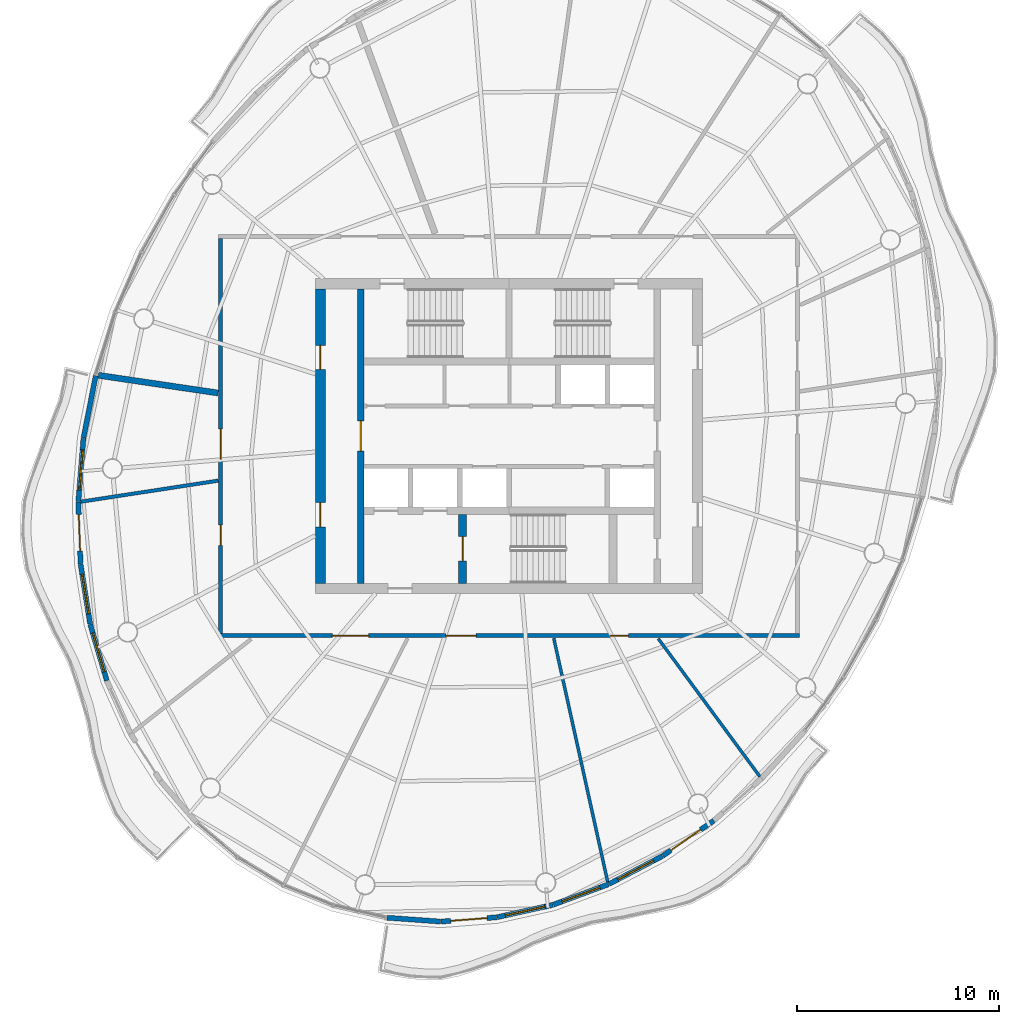
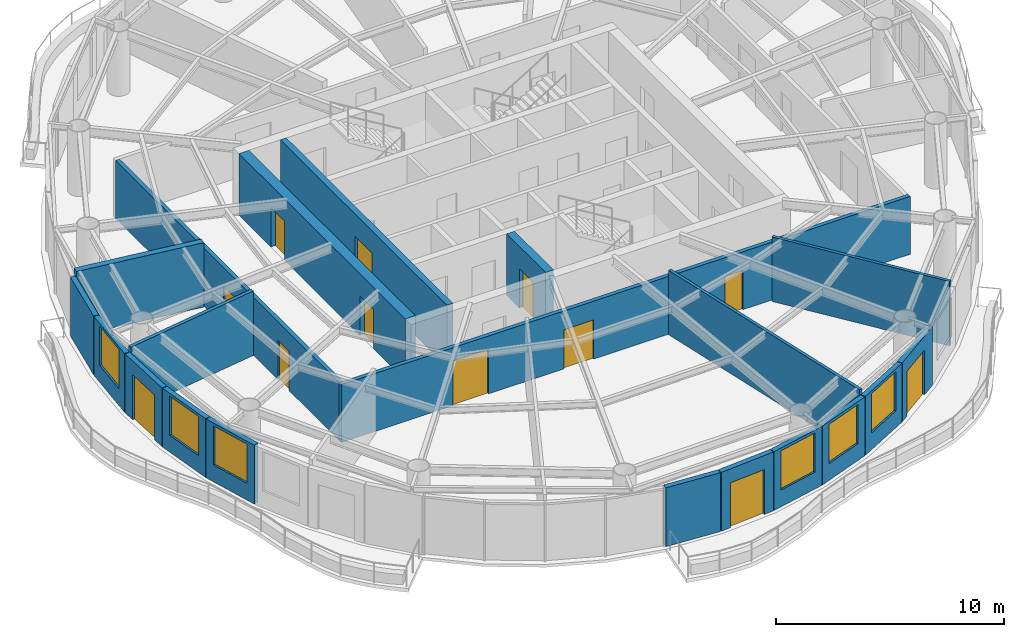
# One storey, part 7 of 13: 20 walls, 12 doors, 6 windows, 18 openings.
"""IFC4 building model written with IfcOpenShell, lengths in metres."""

from ifc_helpers import new_model, si_unit, direction, frame, frame_2d, origin, place, context, subcontext, project, spatial, rectangle, extrude, material, layer, layer_set, type_object, element, fill, save


model = new_model("IFC4")

# Units and contexts
model_context = context("Model", 3, precision=1e-05, world=origin(), true_north=direction((0.0, 1.0)))
body_context = subcontext(model_context, "Body", "Model", "MODEL_VIEW")
ifc_project = project(units=[si_unit("LENGTHUNIT", "METRE"), si_unit("AREAUNIT", "SQUARE_METRE"), si_unit("VOLUMEUNIT", "CUBIC_METRE"), si_unit("PLANEANGLEUNIT", "RADIAN"), si_unit("MASSUNIT", "GRAM", prefix="KILO")], contexts=[model_context])

# Site, building, storey
site_placement = place(None, origin())
site = spatial("IfcSite", under=ifc_project, at=site_placement, CompositionType="ELEMENT")
building_placement = place(site_placement, origin())
building = spatial("IfcBuilding", under=site, at=building_placement, Name="Vermilion Reach Broadcast Tower", CompositionType="ELEMENT")
storey_placement = place(building_placement, frame((0.0, 0.0, 286.5)))
storey = spatial("IfcBuildingStorey", under=building, at=storey_placement, Name="L71", CompositionType="ELEMENT", Elevation=286.5)

# Wall, opening, door
ifc_material_1 = material(Name="Concrete C50", Category="concrete")
ifc_layer_1 = layer(ifc_material_1, 0.300048828125)
ifc_layer_set_1 = layer_set([ifc_layer_1], Name="Core inner wall 300 mm Concrete C50")
wall_type_1 = type_object("IfcWallType", Name="Core inner wall 300 mm Concrete C50", PredefinedType="SHEAR", material=ifc_layer_set_1)
wall_1_placement = place(storey_placement, frame((-13.35009765625, 7.300048828125, 0.0), z_axis=(0.0, 0.0, 1.0), x_axis=(0.0, -1.0, 0.0)))
wall_1 = element("IfcWall", 1, at=wall_1_placement, inside=storey, type_object=wall_type_1, Name="L71 core wall ewW", PredefinedType="SHEAR", context=body_context, shape_type="SweptSolid", body=[
    extrude(rectangle(XDim=14.60009765625, YDim=0.300048828125, at=frame_2d((7.300048828125, 0.0))), origin(), (0.0, 0.0, 1.0), 3.300048828125),
])
opening_1_placement = place(wall_1_placement, frame((6.550048828125, 0.0, 0.0)))
opening_1 = element("IfcOpeningElement", 2, at=opening_1_placement, cuts=wall_1, Name="Opening D04", PredefinedType="OPENING", context=body_context, shape_type="SweptSolid", body=[
    extrude(rectangle(XDim=1.5, YDim=2.10009765625, at=frame_2d((0.75, 1.050048828125))), frame((0.0, 0.159912109375, 0.0), z_axis=(0.0, -1.0, 0.0), x_axis=(1.0, 0.0, 0.0)), (0.0, 0.0, 1.0), 0.320068359375),
])
ifc_material_2 = material(Name="Painted steel fire door", Category="steel")
door_type_1 = type_object("IfcDoorType", Name="Lift lobby door 1500 x 2100", OperationType="DOUBLE_DOOR_SINGLE_SWING", PredefinedType="NOTDEFINED", material=ifc_material_2)
door_1_placement = place(opening_1_placement, origin())
door_1 = element("IfcDoor", 3, at=door_1_placement, inside=storey, type_object=door_type_1, Name="L71 band door BW", OperationType="DOUBLE_DOOR_SINGLE_SWING", OverallHeight=2.10009765625, OverallWidth=1.5, PredefinedType="NOTDEFINED", context=body_context, shape_type="SweptSolid", body=[
    extrude(rectangle(XDim=1.5, YDim=2.10009765625, at=frame_2d((0.75, 1.050048828125))), frame((0.0, 0.02490234375, 0.0), z_axis=(0.0, -1.0, 0.0), x_axis=(1.0, 0.0, 0.0)), (0.0, 0.0, 1.0), 0.050048828125),
])
fill(opening_1, door_1)

ifc_material_3 = material(Name="Concrete C50", Category="concrete")
ifc_layer_2 = layer(ifc_material_3, 0.39990234375)
ifc_layer_set_2 = layer_set([ifc_layer_2], Name="Core inner wall 400 mm Concrete C50")
wall_type_2 = type_object("IfcWallType", Name="Core inner wall 400 mm Concrete C50", PredefinedType="SHEAR", material=ifc_layer_set_2)
wall_2_placement = place(storey_placement, frame((-8.300048828125, -3.8798828125, 0.0), z_axis=(0.0, 0.0, 1.0), x_axis=(0.0, -1.0, 0.0)))
wall_2 = element("IfcWall", 4, at=wall_2_placement, inside=storey, type_object=wall_type_2, Name="L71 core wall wa", PredefinedType="SHEAR", context=body_context, shape_type="SweptSolid", body=[
    extrude(rectangle(XDim=3.420166015625, YDim=0.39990234375, at=frame_2d((1.7099609375, 0.0))), origin(), (0.0, 0.0, 1.0), 3.300048828125),
])
opening_2_placement = place(wall_2_placement, frame((1.110107421875, 0.0, 0.0)))
opening_2 = element("IfcOpeningElement", 5, at=opening_2_placement, cuts=wall_2, Name="Opening D01", PredefinedType="OPENING", context=body_context, shape_type="SweptSolid", body=[
    extrude(rectangle(XDim=1.199951171875, YDim=2.10009765625, at=frame_2d((0.60009765625, 1.050048828125))), frame((0.0, 0.2099609375, 0.0), z_axis=(0.0, -1.0, 0.0), x_axis=(1.0, 0.0, 0.0)), (0.0, 0.0, 1.0), 0.419921875),
])
ifc_material_4 = material(Name="Painted steel fire door", Category="steel")
door_type_2 = type_object("IfcDoorType", Name="Stair door 1200 x 2100", OperationType="DOUBLE_DOOR_SINGLE_SWING", PredefinedType="NOTDEFINED", material=ifc_material_4)
door_2_placement = place(opening_2_placement, origin())
door_2 = element("IfcDoor", 6, at=door_2_placement, inside=storey, type_object=door_type_2, Name="L71 stair door ST3", OperationType="DOUBLE_DOOR_SINGLE_SWING", OverallHeight=2.10009765625, OverallWidth=1.199951171875, PredefinedType="NOTDEFINED", context=body_context, shape_type="SweptSolid", body=[
    extrude(rectangle(XDim=1.199951171875, YDim=2.10009765625, at=frame_2d((0.60009765625, 1.050048828125))), frame((0.0, 0.02490234375, 0.0), z_axis=(0.0, -1.0, 0.0), x_axis=(1.0, 0.0, 0.0)), (0.0, 0.0, 1.0), 0.050048828125),
])
fill(opening_2, door_2)

# Wall, openings, doors
ifc_material_5 = material(Name="Concrete C50", Category="concrete")
ifc_layer_3 = layer(ifc_material_5, 0.5)
ifc_layer_set_3 = layer_set([ifc_layer_3], Name="Core outer wall 500 mm Concrete C50")
wall_type_3 = type_object("IfcWallType", Name="Core outer wall 500 mm Concrete C50", PredefinedType="SHEAR", material=ifc_layer_set_3)
wall_3_placement = place(storey_placement, frame((-15.35009765625, 7.300048828125, 0.0), z_axis=(0.0, 0.0, 1.0), x_axis=(0.0, -1.0, 0.0)))
wall_3 = element("IfcWall", 7, at=wall_3_placement, inside=storey, type_object=wall_type_3, Name="L71 core wall ow", PredefinedType="SHEAR", context=body_context, shape_type="SweptSolid", body=[
    extrude(rectangle(XDim=14.60009765625, YDim=0.5, at=frame_2d((7.300048828125, 0.0))), origin(), (0.0, 0.0, 1.0), 3.300048828125),
])
opening_3_placement = place(wall_3_placement, frame((10.60009765625, 0.0, 0.0)))
opening_3 = element("IfcOpeningElement", 8, at=opening_3_placement, cuts=wall_3, Name="Opening D03", PredefinedType="OPENING", context=body_context, shape_type="SweptSolid", body=[
    extrude(rectangle(XDim=1.199951171875, YDim=2.10009765625, at=frame_2d((0.60009765625, 1.050048828125))), frame((0.0, 0.260009765625, 0.0), z_axis=(0.0, -1.0, 0.0), x_axis=(1.0, 0.0, 0.0)), (0.0, 0.0, 1.0), 0.52001953125),
])
opening_4_placement = place(wall_3_placement, frame((2.800048828125, 0.0, 0.0)))
opening_4 = element("IfcOpeningElement", 9, at=opening_4_placement, cuts=wall_3, Name="Opening D03", PredefinedType="OPENING", context=body_context, shape_type="SweptSolid", body=[
    extrude(rectangle(XDim=1.199951171875, YDim=2.10009765625, at=frame_2d((0.60009765625, 1.050048828125))), frame((0.0, 0.260009765625, 0.0), z_axis=(0.0, -1.0, 0.0), x_axis=(1.0, 0.0, 0.0)), (0.0, 0.0, 1.0), 0.52001953125),
])
ifc_material_6 = material(Name="Painted steel fire door", Category="steel")
door_type_3 = type_object("IfcDoorType", Name="Core lobby door 1200 x 2100", OperationType="DOUBLE_DOOR_SINGLE_SWING", PredefinedType="NOTDEFINED", material=ifc_material_6)
door_3_placement = place(opening_3_placement, origin())
door_3 = element("IfcDoor", 10, at=door_3_placement, inside=storey, type_object=door_type_3, Name="L71 slot door W0", OperationType="DOUBLE_DOOR_SINGLE_SWING", OverallHeight=2.10009765625, OverallWidth=1.199951171875, PredefinedType="NOTDEFINED", context=body_context, shape_type="SweptSolid", body=[
    extrude(rectangle(XDim=1.199951171875, YDim=2.10009765625, at=frame_2d((0.60009765625, 1.050048828125))), frame((0.0, 0.02490234375, 0.0), z_axis=(0.0, -1.0, 0.0), x_axis=(1.0, 0.0, 0.0)), (0.0, 0.0, 1.0), 0.050048828125),
])
fill(opening_3, door_3)
door_4_placement = place(opening_4_placement, origin())
door_4 = element("IfcDoor", 11, at=door_4_placement, inside=storey, type_object=door_type_3, Name="L71 slot door W1", OperationType="DOUBLE_DOOR_SINGLE_SWING", OverallHeight=2.10009765625, OverallWidth=1.199951171875, PredefinedType="NOTDEFINED", context=body_context, shape_type="SweptSolid", body=[
    extrude(rectangle(XDim=1.199951171875, YDim=2.10009765625, at=frame_2d((0.60009765625, 1.050048828125))), frame((0.0, 0.02490234375, 0.0), z_axis=(0.0, -1.0, 0.0), x_axis=(1.0, 0.0, 0.0)), (0.0, 0.0, 1.0), 0.050048828125),
])
fill(opening_4, door_4)

# Walls
ifc_material_7 = material(Name="Lightweight concrete block, plastered", Category="concrete")
ifc_layer_4 = layer(ifc_material_7, 0.14990234375)
ifc_layer_set_4 = layer_set([ifc_layer_4], Name="Partition 150 lightweight block")
wall_type_4 = type_object("IfcWallType", Name="Partition 150 lightweight block", PredefinedType="PARTITIONING", material=ifc_layer_set_4)
wall_4_placement = place(storey_placement, frame((-1.10693359375, -22.10498046875, 0.0), z_axis=(0.0, 0.0, 1.0), x_axis=(-0.216130755643, 0.976364428103, 0.0)))
element("IfcWall", 12, at=wall_4_placement, inside=storey, type_object=wall_type_4, Name="Partition 71.07", PredefinedType="PARTITIONING", context=body_context, shape_type="SweptSolid", body=[
    extrude(rectangle(XDim=12.381591796875, YDim=0.14990234375, at=frame_2d((6.19091796875, 0.0))), origin(), (0.0, 0.0, 1.0), 3.449951171875),
])
wall_5_placement = place(storey_placement, frame((6.440673828125, -16.8857421875, 0.0), z_axis=(0.0, 0.0, 1.0), x_axis=(-0.593147094441, 0.805094109006, 0.0)))
element("IfcWall", 13, at=wall_5_placement, inside=storey, type_object=wall_type_4, Name="Partition 71.08", PredefinedType="PARTITIONING", context=body_context, shape_type="SweptSolid", body=[
    extrude(rectangle(XDim=8.49755859375, YDim=0.14990234375, at=frame_2d((4.248779296875, 0.0))), origin(), (0.0, 0.0, 1.0), 3.449951171875),
])
ifc_material_8 = material(Name="Fire-rated block, plastered")
ifc_layer_5 = layer(ifc_material_8, 0.175048828125)
ifc_layer_set_5 = layer_set([ifc_layer_5], Name="Partition 175 fire-rated block")
wall_type_5 = type_object("IfcWallType", Name="Partition 175 fire-rated block", PredefinedType="PARTITIONING", material=ifc_layer_set_5)
wall_6_placement = place(storey_placement, frame((-27.2275390625, -3.25634765625, 0.0), z_axis=(0.0, 0.0, 1.0), x_axis=(0.988435478187, 0.151642030654, 0.0)))
element("IfcWall", 14, at=wall_6_placement, inside=storey, type_object=wall_type_5, Name="Partition 71.04", PredefinedType="PARTITIONING", context=body_context, shape_type="SweptSolid", body=[
    extrude(rectangle(XDim=6.89404296875, YDim=0.175048828125, at=frame_2d((3.447021484375, 0.0))), origin(), (0.0, 0.0, 1.0), 3.449951171875),
])
ifc_material_9 = material(Name="Double-leaf plasterboard on isolated steel stud", Category="steel")
ifc_layer_6 = layer(ifc_material_9, 0.300048828125)
ifc_layer_set_6 = layer_set([ifc_layer_6], Name="Partition 300 acoustic double leaf")
wall_type_6 = type_object("IfcWallType", Name="Partition 300 acoustic double leaf", PredefinedType="PARTITIONING", material=ifc_layer_set_6)
wall_7_placement = place(storey_placement, frame((-26.3583984375, 3.01171875, 0.0), z_axis=(0.0, 0.0, 1.0), x_axis=(0.989235111516, -0.146334869885, 0.0)))
element("IfcWall", 15, at=wall_7_placement, inside=storey, type_object=wall_type_6, Name="Partition 71.03", PredefinedType="PARTITIONING", context=body_context, shape_type="SweptSolid", body=[
    extrude(rectangle(XDim=6.001220703125, YDim=0.300048828125, at=frame_2d((3.00048828125, 0.0))), origin(), (0.0, 0.0, 1.0), 3.449951171875),
])
ifc_material_10 = material(Name="Terracotta rainscreen cladding", Category="masonry")
ifc_layer_7 = layer(ifc_material_10, 0.25)
ifc_layer_set_7 = layer_set([ifc_layer_7], Name="Terracotta rainscreen wall 250")
wall_type_7 = type_object("IfcWallType", Name="Terracotta rainscreen wall 250", PredefinedType="SOLIDWALL", material=ifc_layer_set_7)
wall_8_placement = place(storey_placement, frame((-26.490234375, 2.988525390625, 0.0), z_axis=(0.0, 0.0, 1.0), x_axis=(-0.192470190708, -0.981302820585, 0.0)))
element("IfcWall", 16, at=wall_8_placement, inside=storey, type_object=wall_type_7, Name="External wall L71 14", PredefinedType="SOLIDWALL", context=body_context, shape_type="SweptSolid", body=[
    extrude(rectangle(XDim=3.143310546875, YDim=0.25, at=frame_2d((1.57177734375, 0.0))), origin(), (0.0, 0.0, 1.0), 3.14990234375),
])

# Wall, opening, window
wall_9_placement = place(storey_placement, frame((-27.09814453125, -0.117919921875, 0.0), z_axis=(0.0, 0.0, 1.0), x_axis=(-0.080847238515, -0.996726504125, 0.0)))
wall_9 = element("IfcWall", 17, at=wall_9_placement, inside=storey, type_object=wall_type_7, Name="External wall L71 15", PredefinedType="SOLIDWALL", context=body_context, shape_type="SweptSolid", body=[
    extrude(rectangle(XDim=3.134521484375, YDim=0.25, at=frame_2d((1.5673828125, 0.0))), origin(), (0.0, 0.0, 1.0), 3.14990234375),
])
opening_5_placement = place(wall_9_placement, frame((0.567138671875, 0.0, 0.89990234375)))
opening_5 = element("IfcOpeningElement", 18, at=opening_5_placement, cuts=wall_9, Name="Opening W03", PredefinedType="OPENING", context=body_context, shape_type="SweptSolid", body=[
    extrude(rectangle(XDim=2.0, YDim=2.10009765625, at=frame_2d((1.0, 1.050048828125))), frame((0.0, 0.135009765625, 0.0), z_axis=(0.0, -1.0, 0.0), x_axis=(1.0, 0.0, 0.0)), (0.0, 0.0, 1.0), 0.27001953125),
])
ifc_material_11 = material(Name="Low-e laminated clear glass in aluminium frame", Category="aluminium")
window_type = type_object("IfcWindowType", Name="Punched window 2000 x 2100 sill 900", PartitioningType="SINGLE_PANEL", PredefinedType="WINDOW", material=ifc_material_11)
window_1_placement = place(opening_5_placement, origin())
window_1 = element("IfcWindow", 19, at=window_1_placement, inside=storey, type_object=window_type, Name="Window L71 15", OverallHeight=2.10009765625, OverallWidth=2.0, PartitioningType="SINGLE_PANEL", PredefinedType="WINDOW", context=body_context, shape_type="SweptSolid", body=[
    extrude(rectangle(XDim=2.0, YDim=2.10009765625, at=frame_2d((1.0, 1.050048828125))), frame((0.0, 0.030029296875, 0.0), z_axis=(0.0, -1.0, 0.0), x_axis=(1.0, 0.0, 0.0)), (0.0, 0.0, 1.0), 0.06005859375),
])
fill(opening_5, window_1)

# Wall, opening, door
wall_10_placement = place(storey_placement, frame((-27.35205078125, -3.2646484375, 0.0), z_axis=(0.0, 0.0, 1.0), x_axis=(0.035961121069, -0.999353189704, 0.0)))
wall_10 = element("IfcWall", 20, at=wall_10_placement, inside=storey, type_object=wall_type_7, Name="External wall L71 16", PredefinedType="SOLIDWALL", context=body_context, shape_type="SweptSolid", body=[
    extrude(rectangle(XDim=3.068603515625, YDim=0.25, at=frame_2d((1.5341796875, 0.0))), origin(), (0.0, 0.0, 1.0), 3.14990234375),
])
opening_6_placement = place(wall_10_placement, frame((0.634033203125, 0.0, 0.0)))
opening_6 = element("IfcOpeningElement", 21, at=opening_6_placement, cuts=wall_10, Name="Opening D70", PredefinedType="OPENING", context=body_context, shape_type="SweptSolid", body=[
    extrude(rectangle(XDim=1.800048828125, YDim=2.39990234375, at=frame_2d((0.89990234375, 1.199951171875))), frame((0.0, 0.135009765625, 0.0), z_axis=(0.0, -1.0, 0.0), x_axis=(1.0, 0.0, 0.0)), (0.0, 0.0, 1.0), 0.27001953125),
])
ifc_material_12 = material(Name="Low-e laminated clear glass in aluminium frame", Category="aluminium")
door_type_4 = type_object("IfcDoorType", Name="Balcony sliding door 1800 x 2400", OperationType="DOUBLE_DOOR_SLIDING", PredefinedType="DOOR", material=ifc_material_12)
door_5_placement = place(opening_6_placement, origin())
door_5 = element("IfcDoor", 22, at=door_5_placement, inside=storey, type_object=door_type_4, Name="Balcony door L71 run 04", OperationType="DOUBLE_DOOR_SLIDING", OverallHeight=2.39990234375, OverallWidth=1.800048828125, PredefinedType="DOOR", context=body_context, shape_type="SweptSolid", body=[
    extrude(rectangle(XDim=1.800048828125, YDim=2.39990234375, at=frame_2d((0.89990234375, 1.199951171875))), frame((0.0, 0.02490234375, 0.0), z_axis=(0.0, -1.0, 0.0), x_axis=(1.0, 0.0, 0.0)), (0.0, 0.0, 1.0), 0.050048828125),
])
fill(opening_6, door_5)

# Wall, opening, window
wall_11_placement = place(storey_placement, frame((-27.239501953125, -6.354248046875, 0.0), z_axis=(0.0, 0.0, 1.0), x_axis=(0.157503758702, -0.987518387674, 0.0)))
wall_11 = element("IfcWall", 23, at=wall_11_placement, inside=storey, type_object=wall_type_7, Name="External wall L71 17", PredefinedType="SOLIDWALL", context=body_context, shape_type="SweptSolid", body=[
    extrude(rectangle(XDim=2.9931640625, YDim=0.25, at=frame_2d((1.49658203125, 0.0))), origin(), (0.0, 0.0, 1.0), 3.14990234375),
])
opening_7_placement = place(wall_11_placement, frame((0.49658203125, 0.0, 0.89990234375)))
opening_7 = element("IfcOpeningElement", 24, at=opening_7_placement, cuts=wall_11, Name="Opening W03", PredefinedType="OPENING", context=body_context, shape_type="SweptSolid", body=[
    extrude(rectangle(XDim=2.0, YDim=2.10009765625, at=frame_2d((1.0, 1.050048828125))), frame((0.0, 0.135009765625, 0.0), z_axis=(0.0, -1.0, 0.0), x_axis=(1.0, 0.0, 0.0)), (0.0, 0.0, 1.0), 0.27001953125),
])
window_2_placement = place(opening_7_placement, origin())
window_2 = element("IfcWindow", 25, at=window_2_placement, inside=storey, type_object=window_type, Name="Window L71 17", OverallHeight=2.10009765625, OverallWidth=2.0, PartitioningType="SINGLE_PANEL", PredefinedType="WINDOW", context=body_context, shape_type="SweptSolid", body=[
    extrude(rectangle(XDim=2.0, YDim=2.10009765625, at=frame_2d((1.0, 1.050048828125))), frame((0.0, 0.030029296875, 0.0), z_axis=(0.0, -1.0, 0.0), x_axis=(1.0, 0.0, 0.0)), (0.0, 0.0, 1.0), 0.06005859375),
])
fill(opening_7, window_2)

wall_12_placement = place(storey_placement, frame((-26.7626953125, -9.33349609375, 0.0), z_axis=(0.0, 0.0, 1.0), x_axis=(0.282592797693, -0.959239965124, 0.0)))
wall_12 = element("IfcWall", 26, at=wall_12_placement, inside=storey, type_object=wall_type_7, Name="External wall L71 18", PredefinedType="SOLIDWALL", context=body_context, shape_type="SweptSolid", body=[
    extrude(rectangle(XDim=2.9130859375, YDim=0.25, at=frame_2d((1.45654296875, 0.0))), origin(), (0.0, 0.0, 1.0), 3.14990234375),
])
opening_8_placement = place(wall_12_placement, frame((0.45654296875, 0.0, 0.89990234375)))
opening_8 = element("IfcOpeningElement", 27, at=opening_8_placement, cuts=wall_12, Name="Opening W03", PredefinedType="OPENING", context=body_context, shape_type="SweptSolid", body=[
    extrude(rectangle(XDim=2.0, YDim=2.10009765625, at=frame_2d((1.0, 1.050048828125))), frame((0.0, 0.135009765625, 0.0), z_axis=(0.0, -1.0, 0.0), x_axis=(1.0, 0.0, 0.0)), (0.0, 0.0, 1.0), 0.27001953125),
])
window_3_placement = place(opening_8_placement, origin())
window_3 = element("IfcWindow", 28, at=window_3_placement, inside=storey, type_object=window_type, Name="Window L71 18", OverallHeight=2.10009765625, OverallWidth=2.0, PartitioningType="SINGLE_PANEL", PredefinedType="WINDOW", context=body_context, shape_type="SweptSolid", body=[
    extrude(rectangle(XDim=2.0, YDim=2.10009765625, at=frame_2d((1.0, 1.050048828125))), frame((0.0, 0.030029296875, 0.0), z_axis=(0.0, -1.0, 0.0), x_axis=(1.0, 0.0, 0.0)), (0.0, 0.0, 1.0), 0.06005859375),
])
fill(opening_8, window_3)

# Wall
wall_13_placement = place(storey_placement, frame((-12.042724609375, -23.880859375, 0.0), z_axis=(0.0, 0.0, 1.0), x_axis=(0.997395344453, -0.072128544025, 0.0)))
element("IfcWall", 29, at=wall_13_placement, inside=storey, type_object=wall_type_7, Name="External wall L71 26", PredefinedType="SOLIDWALL", context=body_context, shape_type="SweptSolid", body=[
    extrude(rectangle(XDim=2.656982421875, YDim=0.25, at=frame_2d((1.32861328125, 0.0))), origin(), (0.0, 0.0, 1.0), 3.14990234375),
])

# Wall, opening, door
wall_14_placement = place(storey_placement, frame((-9.365966796875, -24.072509765625, 0.0), z_axis=(0.0, 0.0, 1.0), x_axis=(0.997054485502, 0.076696498885, 0.0)))
wall_14 = element("IfcWall", 30, at=wall_14_placement, inside=storey, type_object=wall_type_7, Name="External wall L71 27", PredefinedType="SOLIDWALL", context=body_context, shape_type="SweptSolid", body=[
    extrude(rectangle(XDim=2.759765625, YDim=0.25, at=frame_2d((1.3798828125, 0.0))), origin(), (0.0, 0.0, 1.0), 3.14990234375),
])
opening_9_placement = place(wall_14_placement, frame((0.47998046875, 0.0, 0.0)))
opening_9 = element("IfcOpeningElement", 31, at=opening_9_placement, cuts=wall_14, Name="Opening D70", PredefinedType="OPENING", context=body_context, shape_type="SweptSolid", body=[
    extrude(rectangle(XDim=1.800048828125, YDim=2.39990234375, at=frame_2d((0.89990234375, 1.199951171875))), frame((0.0, 0.135009765625, 0.0), z_axis=(0.0, -1.0, 0.0), x_axis=(1.0, 0.0, 0.0)), (0.0, 0.0, 1.0), 0.27001953125),
])
door_6_placement = place(opening_9_placement, origin())
door_6 = element("IfcDoor", 32, at=door_6_placement, inside=storey, type_object=door_type_4, Name="Balcony door L71 run 07", OperationType="DOUBLE_DOOR_SLIDING", OverallHeight=2.39990234375, OverallWidth=1.800048828125, PredefinedType="DOOR", context=body_context, shape_type="SweptSolid", body=[
    extrude(rectangle(XDim=1.800048828125, YDim=2.39990234375, at=frame_2d((0.89990234375, 1.199951171875))), frame((0.0, 0.02490234375, 0.0), z_axis=(0.0, -1.0, 0.0), x_axis=(1.0, 0.0, 0.0)), (0.0, 0.0, 1.0), 0.050048828125),
])
fill(opening_9, door_6)

# Wall, opening, window
wall_15_placement = place(storey_placement, frame((-6.5888671875, -23.85693359375, 0.0), z_axis=(0.0, 0.0, 1.0), x_axis=(0.976083550613, 0.217395727242, 0.0)))
wall_15 = element("IfcWall", 33, at=wall_15_placement, inside=storey, type_object=wall_type_7, Name="External wall L71 28", PredefinedType="SOLIDWALL", context=body_context, shape_type="SweptSolid", body=[
    extrude(rectangle(XDim=2.83349609375, YDim=0.25, at=frame_2d((1.416748046875, 0.0))), origin(), (0.0, 0.0, 1.0), 3.14990234375),
])
opening_10_placement = place(wall_15_placement, frame((0.416748046875, 0.0, 0.89990234375)))
opening_10 = element("IfcOpeningElement", 34, at=opening_10_placement, cuts=wall_15, Name="Opening W03", PredefinedType="OPENING", context=body_context, shape_type="SweptSolid", body=[
    extrude(rectangle(XDim=2.0, YDim=2.10009765625, at=frame_2d((1.0, 1.050048828125))), frame((0.0, 0.135009765625, 0.0), z_axis=(0.0, -1.0, 0.0), x_axis=(1.0, 0.0, 0.0)), (0.0, 0.0, 1.0), 0.27001953125),
])
window_4_placement = place(opening_10_placement, origin())
window_4 = element("IfcWindow", 35, at=window_4_placement, inside=storey, type_object=window_type, Name="Window L71 28", OverallHeight=2.10009765625, OverallWidth=2.0, PartitioningType="SINGLE_PANEL", PredefinedType="WINDOW", context=body_context, shape_type="SweptSolid", body=[
    extrude(rectangle(XDim=2.0, YDim=2.10009765625, at=frame_2d((1.0, 1.050048828125))), frame((0.0, 0.030029296875, 0.0), z_axis=(0.0, -1.0, 0.0), x_axis=(1.0, 0.0, 0.0)), (0.0, 0.0, 1.0), 0.06005859375),
])
fill(opening_10, window_4)

wall_16_placement = place(storey_placement, frame((-3.79931640625, -23.234130859375, 0.0), z_axis=(0.0, 0.0, 1.0), x_axis=(0.937870025434, 0.346986765442, 0.0)))
wall_16 = element("IfcWall", 36, at=wall_16_placement, inside=storey, type_object=wall_type_7, Name="External wall L71 29", PredefinedType="SOLIDWALL", context=body_context, shape_type="SweptSolid", body=[
    extrude(rectangle(XDim=2.912841796875, YDim=0.25, at=frame_2d((1.45654296875, 0.0))), origin(), (0.0, 0.0, 1.0), 3.14990234375),
])
opening_11_placement = place(wall_16_placement, frame((0.45654296875, 0.0, 0.89990234375)))
opening_11 = element("IfcOpeningElement", 37, at=opening_11_placement, cuts=wall_16, Name="Opening W03", PredefinedType="OPENING", context=body_context, shape_type="SweptSolid", body=[
    extrude(rectangle(XDim=2.0, YDim=2.10009765625, at=frame_2d((1.0, 1.050048828125))), frame((0.0, 0.135009765625, 0.0), z_axis=(0.0, -1.0, 0.0), x_axis=(1.0, 0.0, 0.0)), (0.0, 0.0, 1.0), 0.27001953125),
])
window_5_placement = place(opening_11_placement, origin())
window_5 = element("IfcWindow", 38, at=window_5_placement, inside=storey, type_object=window_type, Name="Window L71 29", OverallHeight=2.10009765625, OverallWidth=2.0, PartitioningType="SINGLE_PANEL", PredefinedType="WINDOW", context=body_context, shape_type="SweptSolid", body=[
    extrude(rectangle(XDim=2.0, YDim=2.10009765625, at=frame_2d((1.0, 1.050048828125))), frame((0.0, 0.030029296875, 0.0), z_axis=(0.0, -1.0, 0.0), x_axis=(1.0, 0.0, 0.0)), (0.0, 0.0, 1.0), 0.06005859375),
])
fill(opening_11, window_5)

wall_17_placement = place(storey_placement, frame((-1.04541015625, -22.213623046875, 0.0), z_axis=(0.0, 0.0, 1.0), x_axis=(0.885698994615, 0.464259938977, 0.0)))
wall_17 = element("IfcWall", 39, at=wall_17_placement, inside=storey, type_object=wall_type_7, Name="External wall L71 30", PredefinedType="SOLIDWALL", context=body_context, shape_type="SweptSolid", body=[
    extrude(rectangle(XDim=2.9931640625, YDim=0.25, at=frame_2d((1.49658203125, 0.0))), origin(), (0.0, 0.0, 1.0), 3.14990234375),
])
opening_12_placement = place(wall_17_placement, frame((0.49658203125, 0.0, 0.89990234375)))
opening_12 = element("IfcOpeningElement", 40, at=opening_12_placement, cuts=wall_17, Name="Opening W03", PredefinedType="OPENING", context=body_context, shape_type="SweptSolid", body=[
    extrude(rectangle(XDim=2.0, YDim=2.10009765625, at=frame_2d((1.0, 1.050048828125))), frame((0.0, 0.135009765625, 0.0), z_axis=(0.0, -1.0, 0.0), x_axis=(1.0, 0.0, 0.0)), (0.0, 0.0, 1.0), 0.27001953125),
])
window_6_placement = place(opening_12_placement, origin())
window_6 = element("IfcWindow", 41, at=window_6_placement, inside=storey, type_object=window_type, Name="Window L71 30", OverallHeight=2.10009765625, OverallWidth=2.0, PartitioningType="SINGLE_PANEL", PredefinedType="WINDOW", context=body_context, shape_type="SweptSolid", body=[
    extrude(rectangle(XDim=2.0, YDim=2.10009765625, at=frame_2d((1.0, 1.050048828125))), frame((0.0, 0.030029296875, 0.0), z_axis=(0.0, -1.0, 0.0), x_axis=(1.0, 0.0, 0.0)), (0.0, 0.0, 1.0), 0.06005859375),
])
fill(opening_12, window_6)

# Wall, opening, door
wall_18_placement = place(storey_placement, frame((1.62548828125, -20.81201171875, 0.0), z_axis=(0.0, 0.0, 1.0), x_axis=(0.822592980817, 0.568630625196, 0.0)))
wall_18 = element("IfcWall", 42, at=wall_18_placement, inside=storey, type_object=wall_type_7, Name="External wall L71 31", PredefinedType="SOLIDWALL", context=body_context, shape_type="SweptSolid", body=[
    extrude(rectangle(XDim=3.068603515625, YDim=0.25, at=frame_2d((1.5341796875, 0.0))), origin(), (0.0, 0.0, 1.0), 3.14990234375),
])
opening_13_placement = place(wall_18_placement, frame((0.48388671875, 0.0, 0.0)))
opening_13 = element("IfcOpeningElement", 43, at=opening_13_placement, cuts=wall_18, Name="Opening D70", PredefinedType="OPENING", context=body_context, shape_type="SweptSolid", body=[
    extrude(rectangle(XDim=1.800048828125, YDim=2.39990234375, at=frame_2d((0.89990234375, 1.199951171875))), frame((0.0, 0.135009765625, 0.0), z_axis=(0.0, -1.0, 0.0), x_axis=(1.0, 0.0, 0.0)), (0.0, 0.0, 1.0), 0.27001953125),
])
door_7_placement = place(opening_13_placement, origin())
door_7 = element("IfcDoor", 44, at=door_7_placement, inside=storey, type_object=door_type_4, Name="Balcony door L71 run 08", OperationType="DOUBLE_DOOR_SLIDING", OverallHeight=2.39990234375, OverallWidth=1.800048828125, PredefinedType="DOOR", context=body_context, shape_type="SweptSolid", body=[
    extrude(rectangle(XDim=1.800048828125, YDim=2.39990234375, at=frame_2d((0.89990234375, 1.199951171875))), frame((0.0, 0.02490234375, 0.0), z_axis=(0.0, -1.0, 0.0), x_axis=(1.0, 0.0, 0.0)), (0.0, 0.0, 1.0), 0.050048828125),
])
fill(opening_13, door_7)

# Wall, openings, doors
ifc_material_13 = material(Name="Fire-rated gypsum board partition")
ifc_layer_8 = layer(ifc_material_13, 0.199951171875)
ifc_layer_set_8 = layer_set([ifc_layer_8], Name="Under girder: Corridor wall 200 fire-rated")
wall_type_8 = type_object("IfcWallType", Name="Under girder: Corridor wall 200 fire-rated", PredefinedType="PARTITIONING", material=ifc_layer_set_8)
wall_19_placement = place(storey_placement, frame((8.39990234375, -9.89990234375, 0.0), z_axis=(0.0, 0.0, 1.0), x_axis=(-1.0, 0.0, 0.0)))
wall_19 = element("IfcWall", 45, at=wall_19_placement, inside=storey, type_object=wall_type_8, Name="Corridor wall 71.S", PredefinedType="PARTITIONING", context=body_context, shape_type="SweptSolid", body=[
    extrude(rectangle(XDim=28.7998046875, YDim=0.199951171875, at=frame_2d((14.39990234375, 0.0))), origin(), (0.0, 0.0, 1.0), 3.10009765625),
])
opening_14_placement = place(wall_19_placement, frame((21.3564453125, 0.0, 0.0)))
opening_14 = element("IfcOpeningElement", 46, at=opening_14_placement, cuts=wall_19, Name="Opening D27", PredefinedType="OPENING", context=body_context, shape_type="SweptSolid", body=[
    extrude(rectangle(XDim=1.800048828125, YDim=2.39990234375, at=frame_2d((0.89990234375, 1.199951171875))), frame((0.0, 0.10986328125, 0.0), z_axis=(0.0, -1.0, 0.0), x_axis=(1.0, 0.0, 0.0)), (0.0, 0.0, 1.0), 0.219970703125),
])
opening_15_placement = place(wall_19_placement, frame((16.02734375, 0.0, 0.0)))
opening_15 = element("IfcOpeningElement", 47, at=opening_15_placement, cuts=wall_19, Name="Opening D24", PredefinedType="OPENING", context=body_context, shape_type="SweptSolid", body=[
    extrude(rectangle(XDim=1.5, YDim=2.10009765625, at=frame_2d((0.75, 1.050048828125))), frame((0.0, 0.10986328125, 0.0), z_axis=(0.0, -1.0, 0.0), x_axis=(1.0, 0.0, 0.0)), (0.0, 0.0, 1.0), 0.219970703125),
])
opening_16_placement = place(wall_19_placement, frame((8.478515625, 0.0, 0.0)))
opening_16 = element("IfcOpeningElement", 48, at=opening_16_placement, cuts=wall_19, Name="Opening D22", PredefinedType="OPENING", context=body_context, shape_type="SweptSolid", body=[
    extrude(rectangle(XDim=0.89990234375, YDim=2.10009765625, at=frame_2d((0.449951171875, 1.050048828125))), frame((0.0, 0.10986328125, 0.0), z_axis=(0.0, -1.0, 0.0), x_axis=(1.0, 0.0, 0.0)), (0.0, 0.0, 1.0), 0.219970703125),
])
ifc_material_14 = material(Name="Timber door leaf", Category="wood")
door_type_5 = type_object("IfcDoorType", Name="Door pair 1500x2100", OperationType="NOTDEFINED", PredefinedType="DOOR", material=ifc_material_14)
door_8_placement = place(opening_15_placement, origin())
door_8 = element("IfcDoor", 49, at=door_8_placement, inside=storey, type_object=door_type_5, Name="Door 71.06", OperationType="DOUBLE_DOOR_SINGLE_SWING", OverallHeight=2.10009765625, OverallWidth=1.5, PredefinedType="DOOR", context=body_context, shape_type="SweptSolid", body=[
    extrude(rectangle(XDim=1.5, YDim=2.10009765625, at=frame_2d((0.75, 1.050048828125))), frame((0.0, 0.02490234375, 0.0), z_axis=(0.0, -1.0, 0.0), x_axis=(1.0, 0.0, 0.0)), (0.0, 0.0, 1.0), 0.050048828125),
])
fill(opening_15, door_8)
ifc_material_15 = material(Name="Acoustic timber door leaf", Category="wood")
door_type_6 = type_object("IfcDoorType", Name="Door pair 1800x2400", OperationType="NOTDEFINED", PredefinedType="DOOR", material=ifc_material_15)
door_9_placement = place(opening_14_placement, origin())
door_9 = element("IfcDoor", 50, at=door_9_placement, inside=storey, type_object=door_type_6, Name="Door 71.05", OperationType="DOUBLE_DOOR_SINGLE_SWING", OverallHeight=2.39990234375, OverallWidth=1.800048828125, PredefinedType="DOOR", context=body_context, shape_type="SweptSolid", body=[
    extrude(rectangle(XDim=1.800048828125, YDim=2.39990234375, at=frame_2d((0.89990234375, 1.199951171875))), frame((0.0, 0.02490234375, 0.0), z_axis=(0.0, -1.0, 0.0), x_axis=(1.0, 0.0, 0.0)), (0.0, 0.0, 1.0), 0.050048828125),
])
fill(opening_14, door_9)
ifc_material_16 = material(Name="Timber door leaf", Category="wood")
door_type_7 = type_object("IfcDoorType", Name="Door single 900x2100", OperationType="NOTDEFINED", PredefinedType="DOOR", material=ifc_material_16)
door_10_placement = place(opening_16_placement, origin())
door_10 = element("IfcDoor", 51, at=door_10_placement, inside=storey, type_object=door_type_7, Name="Door 71.07", OperationType="SINGLE_SWING_LEFT", OverallHeight=2.10009765625, OverallWidth=0.89990234375, PredefinedType="DOOR", context=body_context, shape_type="SweptSolid", body=[
    extrude(rectangle(XDim=0.89990234375, YDim=2.10009765625, at=frame_2d((0.449951171875, 1.050048828125))), frame((0.0, 0.02490234375, 0.0), z_axis=(0.0, -1.0, 0.0), x_axis=(1.0, 0.0, 0.0)), (0.0, 0.0, 1.0), 0.050048828125),
])
fill(opening_16, door_10)

wall_20_placement = place(storey_placement, frame((-20.300048828125, -9.800048828125, 0.0), z_axis=(0.0, 0.0, 1.0), x_axis=(0.0, 1.0, 0.0)))
wall_20 = element("IfcWall", 52, at=wall_20_placement, inside=storey, type_object=wall_type_8, Name="Corridor wall 71.W", PredefinedType="PARTITIONING", context=body_context, shape_type="SweptSolid", body=[
    extrude(rectangle(XDim=19.60009765625, YDim=0.199951171875, at=frame_2d((9.800048828125, 0.0))), origin(), (0.0, 0.0, 1.0), 3.10009765625),
])
opening_17_placement = place(wall_20_placement, frame((8.642822265625, 0.0, 0.0)))
opening_17 = element("IfcOpeningElement", 53, at=opening_17_placement, cuts=wall_20, Name="Opening D24", PredefinedType="OPENING", context=body_context, shape_type="SweptSolid", body=[
    extrude(rectangle(XDim=1.5, YDim=2.10009765625, at=frame_2d((0.75, 1.050048828125))), frame((0.0, 0.10986328125, 0.0), z_axis=(0.0, -1.0, 0.0), x_axis=(1.0, 0.0, 0.0)), (0.0, 0.0, 1.0), 0.219970703125),
])
opening_18_placement = place(wall_20_placement, frame((4.378662109375, 0.0, 0.0)))
opening_18 = element("IfcOpeningElement", 54, at=opening_18_placement, cuts=wall_20, Name="Opening D20", PredefinedType="OPENING", context=body_context, shape_type="SweptSolid", body=[
    extrude(rectangle(XDim=1.0, YDim=2.10009765625, at=frame_2d((0.5, 1.050048828125))), frame((0.0, 0.10986328125, 0.0), z_axis=(0.0, -1.0, 0.0), x_axis=(1.0, 0.0, 0.0)), (0.0, 0.0, 1.0), 0.219970703125),
])
door_11_placement = place(opening_17_placement, origin())
door_11 = element("IfcDoor", 55, at=door_11_placement, inside=storey, type_object=door_type_5, Name="Door 71.03", OperationType="DOUBLE_DOOR_SINGLE_SWING", OverallHeight=2.10009765625, OverallWidth=1.5, PredefinedType="DOOR", context=body_context, shape_type="SweptSolid", body=[
    extrude(rectangle(XDim=1.5, YDim=2.10009765625, at=frame_2d((0.75, 1.050048828125))), frame((0.0, 0.02490234375, 0.0), z_axis=(0.0, -1.0, 0.0), x_axis=(1.0, 0.0, 0.0)), (0.0, 0.0, 1.0), 0.050048828125),
])
fill(opening_17, door_11)
ifc_material_17 = material(Name="Timber door leaf", Category="wood")
door_type_8 = type_object("IfcDoorType", Name="Door single 1000x2100", OperationType="NOTDEFINED", PredefinedType="DOOR", material=ifc_material_17)
door_12_placement = place(opening_18_placement, origin())
door_12 = element("IfcDoor", 56, at=door_12_placement, inside=storey, type_object=door_type_8, Name="Door 71.04", OperationType="SINGLE_SWING_RIGHT", OverallHeight=2.10009765625, OverallWidth=1.0, PredefinedType="DOOR", context=body_context, shape_type="SweptSolid", body=[
    extrude(rectangle(XDim=1.0, YDim=2.10009765625, at=frame_2d((0.5, 1.050048828125))), frame((0.0, 0.02490234375, 0.0), z_axis=(0.0, -1.0, 0.0), x_axis=(1.0, 0.0, 0.0)), (0.0, 0.0, 1.0), 0.050048828125),
])
fill(opening_18, door_12)

save(model, "model.ifc")
